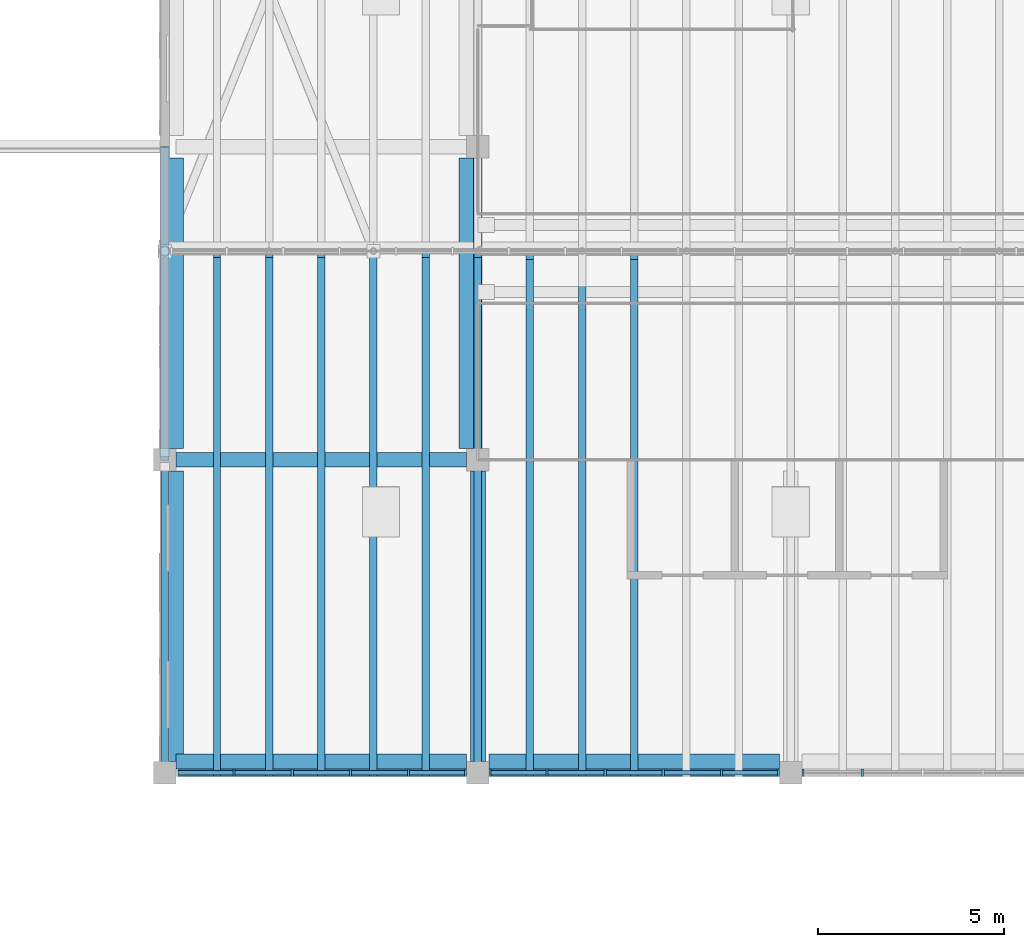
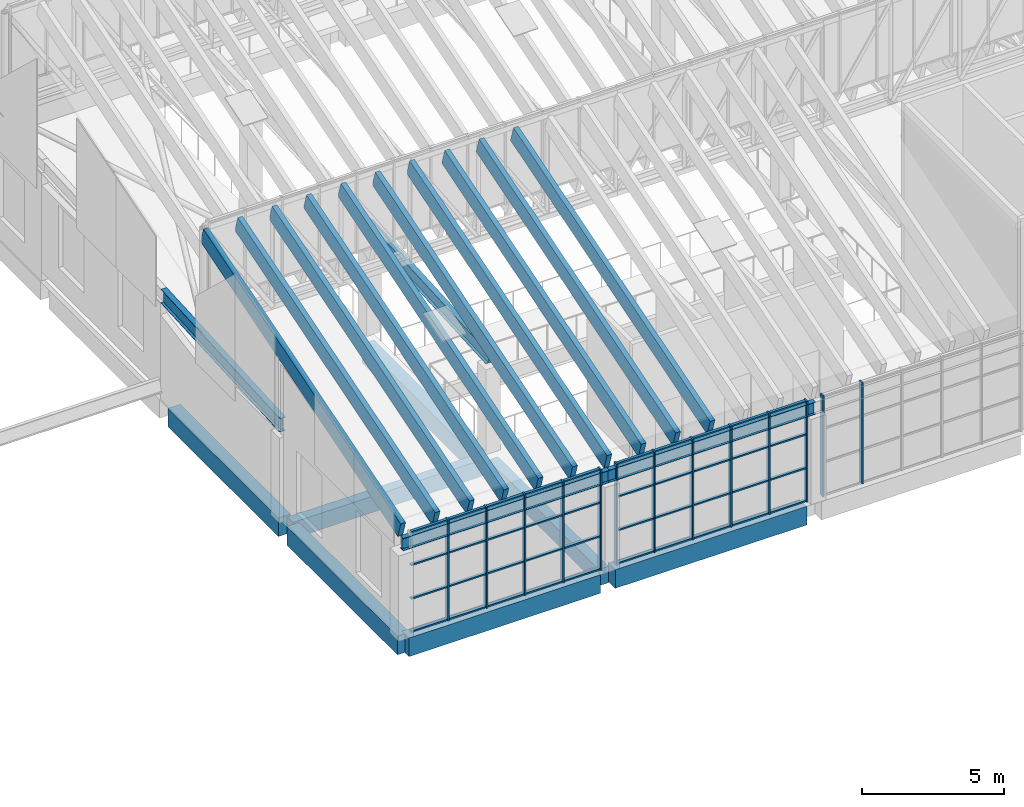
# One storey, part 7 of 91: 63 members, 11 beams, 3 elements without a shape of their own.
"""IFC4 building model written with IfcOpenShell, lengths in metres."""

from ifc_helpers import new_model, si_unit, direction, frame, origin, origin_2d, place, context, subcontext, project, spatial, rectangle, i_section, extrude, material, material_profile, profile_set, type_object, element, aggregate, save


model = new_model("IFC4")

# Units and contexts
model_context = context("Model", 3, precision=1e-05, world=origin(), true_north=direction((0.0, 1.0)))
body_context = subcontext(model_context, "Body", "Model", "MODEL_VIEW")
ifc_project = project(units=[si_unit("LENGTHUNIT", "METRE"), si_unit("AREAUNIT", "SQUARE_METRE"), si_unit("VOLUMEUNIT", "CUBIC_METRE"), si_unit("PLANEANGLEUNIT", "RADIAN"), si_unit("MASSUNIT", "GRAM", prefix="KILO")], contexts=[model_context])

# Site, building, storey
site_placement = place(None, origin())
site = spatial("IfcSite", under=ifc_project, at=site_placement, CompositionType="ELEMENT")
building_placement = place(site_placement, origin())
building = spatial("IfcBuilding", under=site, at=building_placement, Name="Almond Square Museum", CompositionType="ELEMENT")
storey_placement = place(building_placement, frame((0.0, 0.0, 30.0)))
storey = spatial("IfcBuildingStorey", under=building, at=storey_placement, Name="L05", CompositionType="ELEMENT", Elevation=30.0)

# Curtain wall, members
ifc_material_1 = material(Name="Aluminium and laminated glass", Category="aluminium")
curtain_wall_type = type_object("IfcCurtainWallType", Name="Unitised curtain wall 1500 module", PredefinedType="NOTDEFINED", material=ifc_material_1)
curtain_wall_1_placement = place(storey_placement, origin())
curtain_wall_1 = element("IfcCurtainWall", 1, at=curtain_wall_1_placement, inside=storey, type_object=curtain_wall_type, Name="Curtain wall CW-50", PredefinedType="NOTDEFINED")
ifc_material_2 = material(Name="Anodised aluminium", Category="aluminium")
ifc_material_profile_1 = material_profile(ifc_material_2, rectangle(XDim=0.199951171875, YDim=0.06005859375, at=origin_2d()))
ifc_profile_set_1 = profile_set([ifc_material_profile_1], Name="Anodised aluminium")
member_type_1 = type_object("IfcMemberType", Name="Aluminium mullion 60 x 200", PredefinedType="MULLION", material=ifc_profile_set_1)
member_1_placement = place(storey_placement, frame((75.06005859375, 67.199951171875, 0.0), z_axis=(0.0, 0.0, 1.0), x_axis=(0.0, 1.0, 0.0)))
member_1 = element("IfcMember", 2, at=member_1_placement, type_object=member_type_1, Name="CW-50 mullion 2", PredefinedType="MULLION", context=body_context, shape_type="SweptSolid", body=[
    extrude(rectangle(XDim=0.199951171875, YDim=0.06005859375, at=origin_2d()), origin(), (0.0, 0.0, 1.0), 4.346923828125),
])
member_2_placement = place(storey_placement, frame((76.6201171875, 67.199951171875, 0.0), z_axis=(0.0, 0.0, 1.0), x_axis=(0.0, 1.0, 0.0)))
member_2 = element("IfcMember", 3, at=member_2_placement, type_object=member_type_1, Name="CW-50 mullion 3", PredefinedType="MULLION", context=body_context, shape_type="SweptSolid", body=[
    extrude(rectangle(XDim=0.199951171875, YDim=0.06005859375, at=origin_2d()), origin(), (0.0, 0.0, 1.0), 4.346923828125),
])
member_3_placement = place(storey_placement, frame((78.179931640625, 67.199951171875, 0.0), z_axis=(0.0, 0.0, 1.0), x_axis=(0.0, 1.0, 0.0)))
member_3 = element("IfcMember", 4, at=member_3_placement, type_object=member_type_1, Name="CW-50 mullion 4", PredefinedType="MULLION", context=body_context, shape_type="SweptSolid", body=[
    extrude(rectangle(XDim=0.199951171875, YDim=0.06005859375, at=origin_2d()), origin(), (0.0, 0.0, 1.0), 4.346923828125),
])
member_4_placement = place(storey_placement, frame((79.739990234375, 67.199951171875, 0.0), z_axis=(0.0, 0.0, 1.0), x_axis=(0.0, 1.0, 0.0)))
member_4 = element("IfcMember", 5, at=member_4_placement, type_object=member_type_1, Name="CW-50 mullion 5", PredefinedType="MULLION", context=body_context, shape_type="SweptSolid", body=[
    extrude(rectangle(XDim=0.199951171875, YDim=0.06005859375, at=origin_2d()), origin(), (0.0, 0.0, 1.0), 4.346923828125),
])
member_5_placement = place(storey_placement, frame((81.27001953125, 67.199951171875, 0.0), z_axis=(0.0, 0.0, 1.0), x_axis=(0.0, 1.0, 0.0)))
member_5 = element("IfcMember", 6, at=member_5_placement, type_object=member_type_1, Name="CW-50 mullion 6", PredefinedType="MULLION", context=body_context, shape_type="SweptSolid", body=[
    extrude(rectangle(XDim=0.199951171875, YDim=0.06005859375, at=origin_2d()), origin(), (0.0, 0.0, 1.0), 4.346923828125),
])

curtain_wall_2_placement = place(storey_placement, origin())
curtain_wall_2 = element("IfcCurtainWall", 7, at=curtain_wall_2_placement, inside=storey, type_object=curtain_wall_type, Name="Curtain wall CW-51", PredefinedType="NOTDEFINED")
member_6_placement = place(storey_placement, frame((81.929931640625, 67.199951171875, 0.0), z_axis=(0.0, 0.0, 1.0), x_axis=(0.0, 1.0, 0.0)))
member_6 = element("IfcMember", 8, at=member_6_placement, type_object=member_type_1, Name="CW-51 mullion 1", PredefinedType="MULLION", context=body_context, shape_type="SweptSolid", body=[
    extrude(rectangle(XDim=0.199951171875, YDim=0.06005859375, at=origin_2d()), origin(), (0.0, 0.0, 1.0), 4.346923828125),
])
member_7_placement = place(storey_placement, frame((83.4599609375, 67.199951171875, 0.0), z_axis=(0.0, 0.0, 1.0), x_axis=(0.0, 1.0, 0.0)))
member_7 = element("IfcMember", 9, at=member_7_placement, type_object=member_type_1, Name="CW-51 mullion 2", PredefinedType="MULLION", context=body_context, shape_type="SweptSolid", body=[
    extrude(rectangle(XDim=0.199951171875, YDim=0.06005859375, at=origin_2d()), origin(), (0.0, 0.0, 1.0), 4.346923828125),
])
member_8_placement = place(storey_placement, frame((85.02001953125, 67.199951171875, 0.0), z_axis=(0.0, 0.0, 1.0), x_axis=(0.0, 1.0, 0.0)))
member_8 = element("IfcMember", 10, at=member_8_placement, type_object=member_type_1, Name="CW-51 mullion 3", PredefinedType="MULLION", context=body_context, shape_type="SweptSolid", body=[
    extrude(rectangle(XDim=0.199951171875, YDim=0.06005859375, at=origin_2d()), origin(), (0.0, 0.0, 1.0), 4.346923828125),
])
member_9_placement = place(storey_placement, frame((86.580078125, 67.199951171875, 0.0), z_axis=(0.0, 0.0, 1.0), x_axis=(0.0, 1.0, 0.0)))
member_9 = element("IfcMember", 11, at=member_9_placement, type_object=member_type_1, Name="CW-51 mullion 4", PredefinedType="MULLION", context=body_context, shape_type="SweptSolid", body=[
    extrude(rectangle(XDim=0.199951171875, YDim=0.06005859375, at=origin_2d()), origin(), (0.0, 0.0, 1.0), 4.346923828125),
])
member_10_placement = place(storey_placement, frame((88.139892578125, 67.199951171875, 0.0), z_axis=(0.0, 0.0, 1.0), x_axis=(0.0, 1.0, 0.0)))
member_10 = element("IfcMember", 12, at=member_10_placement, type_object=member_type_1, Name="CW-51 mullion 5", PredefinedType="MULLION", context=body_context, shape_type="SweptSolid", body=[
    extrude(rectangle(XDim=0.199951171875, YDim=0.06005859375, at=origin_2d()), origin(), (0.0, 0.0, 1.0), 4.346923828125),
])
member_11_placement = place(storey_placement, frame((89.669921875, 67.199951171875, 0.0), z_axis=(0.0, 0.0, 1.0), x_axis=(0.0, 1.0, 0.0)))
member_11 = element("IfcMember", 13, at=member_11_placement, type_object=member_type_1, Name="CW-51 mullion 6", PredefinedType="MULLION", context=body_context, shape_type="SweptSolid", body=[
    extrude(rectangle(XDim=0.199951171875, YDim=0.06005859375, at=origin_2d()), origin(), (0.0, 0.0, 1.0), 4.346923828125),
])

curtain_wall_3_placement = place(storey_placement, origin())
curtain_wall_3 = element("IfcCurtainWall", 14, at=curtain_wall_3_placement, inside=storey, type_object=curtain_wall_type, Name="Curtain wall CW-52", PredefinedType="NOTDEFINED")
member_12_placement = place(storey_placement, frame((90.330078125, 67.199951171875, 0.0), z_axis=(0.0, 0.0, 1.0), x_axis=(0.0, 1.0, 0.0)))
member_12 = element("IfcMember", 15, at=member_12_placement, type_object=member_type_1, Name="CW-52 mullion 1", PredefinedType="MULLION", context=body_context, shape_type="SweptSolid", body=[
    extrude(rectangle(XDim=0.199951171875, YDim=0.06005859375, at=origin_2d()), origin(), (0.0, 0.0, 1.0), 4.346923828125),
])
member_13_placement = place(storey_placement, frame((91.919921875, 67.199951171875, 0.0), z_axis=(0.0, 0.0, 1.0), x_axis=(0.0, 1.0, 0.0)))
member_13 = element("IfcMember", 16, at=member_13_placement, type_object=member_type_1, Name="CW-52 mullion 2", PredefinedType="MULLION", context=body_context, shape_type="SweptSolid", body=[
    extrude(rectangle(XDim=0.199951171875, YDim=0.06005859375, at=origin_2d()), origin(), (0.0, 0.0, 1.0), 4.346923828125),
])
aggregate(curtain_wall_3, [member_12, member_13])

# Member
ifc_material_3 = material(Name="Anodised aluminium", Category="aluminium")
ifc_material_profile_2 = material_profile(ifc_material_3, rectangle(XDim=0.1201171875, YDim=0.06005859375, at=origin_2d()))
ifc_profile_set_2 = profile_set([ifc_material_profile_2], Name="Anodised aluminium")
member_type_2 = type_object("IfcMemberType", Name="Aluminium transom 60 x 120", PredefinedType="USERDEFINED", material=ifc_profile_set_2)
member_14_placement = place(storey_placement, frame((73.56005859375, 67.199951171875, 0.030029296875), z_axis=(1.0, 0.0, 0.0), x_axis=(0.0, 1.0, 0.0)))
member_14 = element("IfcMember", 17, at=member_14_placement, type_object=member_type_2, Name="CW-50 transom 1.1", ObjectType="TRANSOM", PredefinedType="USERDEFINED", context=body_context, shape_type="SweptSolid", body=[
    extrude(rectangle(XDim=0.1201171875, YDim=0.06005859375, at=origin_2d()), origin(), (0.0, 0.0, 1.0), 1.469970703125),
])

member_15_placement = place(storey_placement, frame((73.56005859375, 67.199951171875, 1.448974609375), z_axis=(1.0, 0.0, 0.0), x_axis=(0.0, 1.0, 0.0)))
member_15 = element("IfcMember", 18, at=member_15_placement, type_object=member_type_2, Name="CW-50 transom 1.2", ObjectType="TRANSOM", PredefinedType="USERDEFINED", context=body_context, shape_type="SweptSolid", body=[
    extrude(rectangle(XDim=0.1201171875, YDim=0.06005859375, at=origin_2d()), origin(), (0.0, 0.0, 1.0), 1.469970703125),
])

member_16_placement = place(storey_placement, frame((73.56005859375, 67.199951171875, 2.89794921875), z_axis=(1.0, 0.0, 0.0), x_axis=(0.0, 1.0, 0.0)))
member_16 = element("IfcMember", 19, at=member_16_placement, type_object=member_type_2, Name="CW-50 transom 1.3", ObjectType="TRANSOM", PredefinedType="USERDEFINED", context=body_context, shape_type="SweptSolid", body=[
    extrude(rectangle(XDim=0.1201171875, YDim=0.06005859375, at=origin_2d()), origin(), (0.0, 0.0, 1.0), 1.469970703125),
])

member_17_placement = place(storey_placement, frame((73.56005859375, 67.199951171875, 4.31689453125), z_axis=(1.0, 0.0, 0.0), x_axis=(0.0, 1.0, 0.0)))
member_17 = element("IfcMember", 20, at=member_17_placement, type_object=member_type_2, Name="CW-50 transom 1.4", ObjectType="TRANSOM", PredefinedType="USERDEFINED", context=body_context, shape_type="SweptSolid", body=[
    extrude(rectangle(XDim=0.1201171875, YDim=0.06005859375, at=origin_2d()), origin(), (0.0, 0.0, 1.0), 1.469970703125),
])

member_18_placement = place(storey_placement, frame((75.090087890625, 67.199951171875, 0.030029296875), z_axis=(1.0, 0.0, 0.0), x_axis=(0.0, 1.0, 0.0)))
member_18 = element("IfcMember", 21, at=member_18_placement, type_object=member_type_2, Name="CW-50 transom 2.1", ObjectType="TRANSOM", PredefinedType="USERDEFINED", context=body_context, shape_type="SweptSolid", body=[
    extrude(rectangle(XDim=0.1201171875, YDim=0.06005859375, at=origin_2d()), origin(), (0.0, 0.0, 1.0), 1.5),
])

member_19_placement = place(storey_placement, frame((75.090087890625, 67.199951171875, 1.448974609375), z_axis=(1.0, 0.0, 0.0), x_axis=(0.0, 1.0, 0.0)))
member_19 = element("IfcMember", 22, at=member_19_placement, type_object=member_type_2, Name="CW-50 transom 2.2", ObjectType="TRANSOM", PredefinedType="USERDEFINED", context=body_context, shape_type="SweptSolid", body=[
    extrude(rectangle(XDim=0.1201171875, YDim=0.06005859375, at=origin_2d()), origin(), (0.0, 0.0, 1.0), 1.5),
])

member_20_placement = place(storey_placement, frame((75.090087890625, 67.199951171875, 2.89794921875), z_axis=(1.0, 0.0, 0.0), x_axis=(0.0, 1.0, 0.0)))
member_20 = element("IfcMember", 23, at=member_20_placement, type_object=member_type_2, Name="CW-50 transom 2.3", ObjectType="TRANSOM", PredefinedType="USERDEFINED", context=body_context, shape_type="SweptSolid", body=[
    extrude(rectangle(XDim=0.1201171875, YDim=0.06005859375, at=origin_2d()), origin(), (0.0, 0.0, 1.0), 1.5),
])

member_21_placement = place(storey_placement, frame((75.090087890625, 67.199951171875, 4.31689453125), z_axis=(1.0, 0.0, 0.0), x_axis=(0.0, 1.0, 0.0)))
member_21 = element("IfcMember", 24, at=member_21_placement, type_object=member_type_2, Name="CW-50 transom 2.4", ObjectType="TRANSOM", PredefinedType="USERDEFINED", context=body_context, shape_type="SweptSolid", body=[
    extrude(rectangle(XDim=0.1201171875, YDim=0.06005859375, at=origin_2d()), origin(), (0.0, 0.0, 1.0), 1.5),
])

member_22_placement = place(storey_placement, frame((76.64990234375, 67.199951171875, 0.030029296875), z_axis=(1.0, 0.0, 0.0), x_axis=(0.0, 1.0, 0.0)))
member_22 = element("IfcMember", 25, at=member_22_placement, type_object=member_type_2, Name="CW-50 transom 3.1", ObjectType="TRANSOM", PredefinedType="USERDEFINED", context=body_context, shape_type="SweptSolid", body=[
    extrude(rectangle(XDim=0.1201171875, YDim=0.06005859375, at=origin_2d()), origin(), (0.0, 0.0, 1.0), 1.5),
])

member_23_placement = place(storey_placement, frame((76.64990234375, 67.199951171875, 1.448974609375), z_axis=(1.0, 0.0, 0.0), x_axis=(0.0, 1.0, 0.0)))
member_23 = element("IfcMember", 26, at=member_23_placement, type_object=member_type_2, Name="CW-50 transom 3.2", ObjectType="TRANSOM", PredefinedType="USERDEFINED", context=body_context, shape_type="SweptSolid", body=[
    extrude(rectangle(XDim=0.1201171875, YDim=0.06005859375, at=origin_2d()), origin(), (0.0, 0.0, 1.0), 1.5),
])

member_24_placement = place(storey_placement, frame((76.64990234375, 67.199951171875, 2.89794921875), z_axis=(1.0, 0.0, 0.0), x_axis=(0.0, 1.0, 0.0)))
member_24 = element("IfcMember", 27, at=member_24_placement, type_object=member_type_2, Name="CW-50 transom 3.3", ObjectType="TRANSOM", PredefinedType="USERDEFINED", context=body_context, shape_type="SweptSolid", body=[
    extrude(rectangle(XDim=0.1201171875, YDim=0.06005859375, at=origin_2d()), origin(), (0.0, 0.0, 1.0), 1.5),
])

member_25_placement = place(storey_placement, frame((76.64990234375, 67.199951171875, 4.31689453125), z_axis=(1.0, 0.0, 0.0), x_axis=(0.0, 1.0, 0.0)))
member_25 = element("IfcMember", 28, at=member_25_placement, type_object=member_type_2, Name="CW-50 transom 3.4", ObjectType="TRANSOM", PredefinedType="USERDEFINED", context=body_context, shape_type="SweptSolid", body=[
    extrude(rectangle(XDim=0.1201171875, YDim=0.06005859375, at=origin_2d()), origin(), (0.0, 0.0, 1.0), 1.5),
])

member_26_placement = place(storey_placement, frame((78.2099609375, 67.199951171875, 0.030029296875), z_axis=(1.0, 0.0, 0.0), x_axis=(0.0, 1.0, 0.0)))
member_26 = element("IfcMember", 29, at=member_26_placement, type_object=member_type_2, Name="CW-50 transom 4.1", ObjectType="TRANSOM", PredefinedType="USERDEFINED", context=body_context, shape_type="SweptSolid", body=[
    extrude(rectangle(XDim=0.1201171875, YDim=0.06005859375, at=origin_2d()), origin(), (0.0, 0.0, 1.0), 1.5),
])

member_27_placement = place(storey_placement, frame((78.2099609375, 67.199951171875, 1.448974609375), z_axis=(1.0, 0.0, 0.0), x_axis=(0.0, 1.0, 0.0)))
member_27 = element("IfcMember", 30, at=member_27_placement, type_object=member_type_2, Name="CW-50 transom 4.2", ObjectType="TRANSOM", PredefinedType="USERDEFINED", context=body_context, shape_type="SweptSolid", body=[
    extrude(rectangle(XDim=0.1201171875, YDim=0.06005859375, at=origin_2d()), origin(), (0.0, 0.0, 1.0), 1.5),
])

member_28_placement = place(storey_placement, frame((78.2099609375, 67.199951171875, 2.89794921875), z_axis=(1.0, 0.0, 0.0), x_axis=(0.0, 1.0, 0.0)))
member_28 = element("IfcMember", 31, at=member_28_placement, type_object=member_type_2, Name="CW-50 transom 4.3", ObjectType="TRANSOM", PredefinedType="USERDEFINED", context=body_context, shape_type="SweptSolid", body=[
    extrude(rectangle(XDim=0.1201171875, YDim=0.06005859375, at=origin_2d()), origin(), (0.0, 0.0, 1.0), 1.5),
])

member_29_placement = place(storey_placement, frame((78.2099609375, 67.199951171875, 4.31689453125), z_axis=(1.0, 0.0, 0.0), x_axis=(0.0, 1.0, 0.0)))
member_29 = element("IfcMember", 32, at=member_29_placement, type_object=member_type_2, Name="CW-50 transom 4.4", ObjectType="TRANSOM", PredefinedType="USERDEFINED", context=body_context, shape_type="SweptSolid", body=[
    extrude(rectangle(XDim=0.1201171875, YDim=0.06005859375, at=origin_2d()), origin(), (0.0, 0.0, 1.0), 1.5),
])

member_30_placement = place(storey_placement, frame((79.77001953125, 67.199951171875, 0.030029296875), z_axis=(1.0, 0.0, 0.0), x_axis=(0.0, 1.0, 0.0)))
member_30 = element("IfcMember", 33, at=member_30_placement, type_object=member_type_2, Name="CW-50 transom 5.1", ObjectType="TRANSOM", PredefinedType="USERDEFINED", context=body_context, shape_type="SweptSolid", body=[
    extrude(rectangle(XDim=0.1201171875, YDim=0.06005859375, at=origin_2d()), origin(), (0.0, 0.0, 1.0), 1.469970703125),
])

member_31_placement = place(storey_placement, frame((79.77001953125, 67.199951171875, 1.448974609375), z_axis=(1.0, 0.0, 0.0), x_axis=(0.0, 1.0, 0.0)))
member_31 = element("IfcMember", 34, at=member_31_placement, type_object=member_type_2, Name="CW-50 transom 5.2", ObjectType="TRANSOM", PredefinedType="USERDEFINED", context=body_context, shape_type="SweptSolid", body=[
    extrude(rectangle(XDim=0.1201171875, YDim=0.06005859375, at=origin_2d()), origin(), (0.0, 0.0, 1.0), 1.469970703125),
])

member_32_placement = place(storey_placement, frame((79.77001953125, 67.199951171875, 2.89794921875), z_axis=(1.0, 0.0, 0.0), x_axis=(0.0, 1.0, 0.0)))
member_32 = element("IfcMember", 35, at=member_32_placement, type_object=member_type_2, Name="CW-50 transom 5.3", ObjectType="TRANSOM", PredefinedType="USERDEFINED", context=body_context, shape_type="SweptSolid", body=[
    extrude(rectangle(XDim=0.1201171875, YDim=0.06005859375, at=origin_2d()), origin(), (0.0, 0.0, 1.0), 1.469970703125),
])

member_33_placement = place(storey_placement, frame((79.77001953125, 67.199951171875, 4.31689453125), z_axis=(1.0, 0.0, 0.0), x_axis=(0.0, 1.0, 0.0)))
member_33 = element("IfcMember", 36, at=member_33_placement, type_object=member_type_2, Name="CW-50 transom 5.4", ObjectType="TRANSOM", PredefinedType="USERDEFINED", context=body_context, shape_type="SweptSolid", body=[
    extrude(rectangle(XDim=0.1201171875, YDim=0.06005859375, at=origin_2d()), origin(), (0.0, 0.0, 1.0), 1.469970703125),
])

aggregate(curtain_wall_1, [member_1, member_2, member_3, member_4, member_5, member_14, member_15, member_16, member_17, member_18, member_19, member_20, member_21, member_22, member_23, member_24, member_25, member_26, member_27, member_28, member_29, member_30, member_31, member_32, member_33])

member_34_placement = place(storey_placement, frame((81.9599609375, 67.199951171875, 0.030029296875), z_axis=(1.0, 0.0, 0.0), x_axis=(0.0, 1.0, 0.0)))
member_34 = element("IfcMember", 37, at=member_34_placement, type_object=member_type_2, Name="CW-51 transom 1.1", ObjectType="TRANSOM", PredefinedType="USERDEFINED", context=body_context, shape_type="SweptSolid", body=[
    extrude(rectangle(XDim=0.1201171875, YDim=0.06005859375, at=origin_2d()), origin(), (0.0, 0.0, 1.0), 1.469970703125),
])

member_35_placement = place(storey_placement, frame((81.9599609375, 67.199951171875, 1.448974609375), z_axis=(1.0, 0.0, 0.0), x_axis=(0.0, 1.0, 0.0)))
member_35 = element("IfcMember", 38, at=member_35_placement, type_object=member_type_2, Name="CW-51 transom 1.2", ObjectType="TRANSOM", PredefinedType="USERDEFINED", context=body_context, shape_type="SweptSolid", body=[
    extrude(rectangle(XDim=0.1201171875, YDim=0.06005859375, at=origin_2d()), origin(), (0.0, 0.0, 1.0), 1.469970703125),
])

member_36_placement = place(storey_placement, frame((81.9599609375, 67.199951171875, 2.89794921875), z_axis=(1.0, 0.0, 0.0), x_axis=(0.0, 1.0, 0.0)))
member_36 = element("IfcMember", 39, at=member_36_placement, type_object=member_type_2, Name="CW-51 transom 1.3", ObjectType="TRANSOM", PredefinedType="USERDEFINED", context=body_context, shape_type="SweptSolid", body=[
    extrude(rectangle(XDim=0.1201171875, YDim=0.06005859375, at=origin_2d()), origin(), (0.0, 0.0, 1.0), 1.469970703125),
])

member_37_placement = place(storey_placement, frame((81.9599609375, 67.199951171875, 4.31689453125), z_axis=(1.0, 0.0, 0.0), x_axis=(0.0, 1.0, 0.0)))
member_37 = element("IfcMember", 40, at=member_37_placement, type_object=member_type_2, Name="CW-51 transom 1.4", ObjectType="TRANSOM", PredefinedType="USERDEFINED", context=body_context, shape_type="SweptSolid", body=[
    extrude(rectangle(XDim=0.1201171875, YDim=0.06005859375, at=origin_2d()), origin(), (0.0, 0.0, 1.0), 1.469970703125),
])

member_38_placement = place(storey_placement, frame((83.489990234375, 67.199951171875, 0.030029296875), z_axis=(1.0, 0.0, 0.0), x_axis=(0.0, 1.0, 0.0)))
member_38 = element("IfcMember", 41, at=member_38_placement, type_object=member_type_2, Name="CW-51 transom 2.1", ObjectType="TRANSOM", PredefinedType="USERDEFINED", context=body_context, shape_type="SweptSolid", body=[
    extrude(rectangle(XDim=0.1201171875, YDim=0.06005859375, at=origin_2d()), origin(), (0.0, 0.0, 1.0), 1.5),
])

member_39_placement = place(storey_placement, frame((83.489990234375, 67.199951171875, 1.448974609375), z_axis=(1.0, 0.0, 0.0), x_axis=(0.0, 1.0, 0.0)))
member_39 = element("IfcMember", 42, at=member_39_placement, type_object=member_type_2, Name="CW-51 transom 2.2", ObjectType="TRANSOM", PredefinedType="USERDEFINED", context=body_context, shape_type="SweptSolid", body=[
    extrude(rectangle(XDim=0.1201171875, YDim=0.06005859375, at=origin_2d()), origin(), (0.0, 0.0, 1.0), 1.5),
])

member_40_placement = place(storey_placement, frame((83.489990234375, 67.199951171875, 2.89794921875), z_axis=(1.0, 0.0, 0.0), x_axis=(0.0, 1.0, 0.0)))
member_40 = element("IfcMember", 43, at=member_40_placement, type_object=member_type_2, Name="CW-51 transom 2.3", ObjectType="TRANSOM", PredefinedType="USERDEFINED", context=body_context, shape_type="SweptSolid", body=[
    extrude(rectangle(XDim=0.1201171875, YDim=0.06005859375, at=origin_2d()), origin(), (0.0, 0.0, 1.0), 1.5),
])

member_41_placement = place(storey_placement, frame((83.489990234375, 67.199951171875, 4.31689453125), z_axis=(1.0, 0.0, 0.0), x_axis=(0.0, 1.0, 0.0)))
member_41 = element("IfcMember", 44, at=member_41_placement, type_object=member_type_2, Name="CW-51 transom 2.4", ObjectType="TRANSOM", PredefinedType="USERDEFINED", context=body_context, shape_type="SweptSolid", body=[
    extrude(rectangle(XDim=0.1201171875, YDim=0.06005859375, at=origin_2d()), origin(), (0.0, 0.0, 1.0), 1.5),
])

member_42_placement = place(storey_placement, frame((85.050048828125, 67.199951171875, 0.030029296875), z_axis=(1.0, 0.0, 0.0), x_axis=(0.0, 1.0, 0.0)))
member_42 = element("IfcMember", 45, at=member_42_placement, type_object=member_type_2, Name="CW-51 transom 3.1", ObjectType="TRANSOM", PredefinedType="USERDEFINED", context=body_context, shape_type="SweptSolid", body=[
    extrude(rectangle(XDim=0.1201171875, YDim=0.06005859375, at=origin_2d()), origin(), (0.0, 0.0, 1.0), 1.5),
])

member_43_placement = place(storey_placement, frame((85.050048828125, 67.199951171875, 1.448974609375), z_axis=(1.0, 0.0, 0.0), x_axis=(0.0, 1.0, 0.0)))
member_43 = element("IfcMember", 46, at=member_43_placement, type_object=member_type_2, Name="CW-51 transom 3.2", ObjectType="TRANSOM", PredefinedType="USERDEFINED", context=body_context, shape_type="SweptSolid", body=[
    extrude(rectangle(XDim=0.1201171875, YDim=0.06005859375, at=origin_2d()), origin(), (0.0, 0.0, 1.0), 1.5),
])

member_44_placement = place(storey_placement, frame((85.050048828125, 67.199951171875, 2.89794921875), z_axis=(1.0, 0.0, 0.0), x_axis=(0.0, 1.0, 0.0)))
member_44 = element("IfcMember", 47, at=member_44_placement, type_object=member_type_2, Name="CW-51 transom 3.3", ObjectType="TRANSOM", PredefinedType="USERDEFINED", context=body_context, shape_type="SweptSolid", body=[
    extrude(rectangle(XDim=0.1201171875, YDim=0.06005859375, at=origin_2d()), origin(), (0.0, 0.0, 1.0), 1.5),
])

member_45_placement = place(storey_placement, frame((85.050048828125, 67.199951171875, 4.31689453125), z_axis=(1.0, 0.0, 0.0), x_axis=(0.0, 1.0, 0.0)))
member_45 = element("IfcMember", 48, at=member_45_placement, type_object=member_type_2, Name="CW-51 transom 3.4", ObjectType="TRANSOM", PredefinedType="USERDEFINED", context=body_context, shape_type="SweptSolid", body=[
    extrude(rectangle(XDim=0.1201171875, YDim=0.06005859375, at=origin_2d()), origin(), (0.0, 0.0, 1.0), 1.5),
])

member_46_placement = place(storey_placement, frame((86.610107421875, 67.199951171875, 0.030029296875), z_axis=(1.0, 0.0, 0.0), x_axis=(0.0, 1.0, 0.0)))
member_46 = element("IfcMember", 49, at=member_46_placement, type_object=member_type_2, Name="CW-51 transom 4.1", ObjectType="TRANSOM", PredefinedType="USERDEFINED", context=body_context, shape_type="SweptSolid", body=[
    extrude(rectangle(XDim=0.1201171875, YDim=0.06005859375, at=origin_2d()), origin(), (0.0, 0.0, 1.0), 1.5),
])

member_47_placement = place(storey_placement, frame((86.610107421875, 67.199951171875, 1.448974609375), z_axis=(1.0, 0.0, 0.0), x_axis=(0.0, 1.0, 0.0)))
member_47 = element("IfcMember", 50, at=member_47_placement, type_object=member_type_2, Name="CW-51 transom 4.2", ObjectType="TRANSOM", PredefinedType="USERDEFINED", context=body_context, shape_type="SweptSolid", body=[
    extrude(rectangle(XDim=0.1201171875, YDim=0.06005859375, at=origin_2d()), origin(), (0.0, 0.0, 1.0), 1.5),
])

member_48_placement = place(storey_placement, frame((86.610107421875, 67.199951171875, 2.89794921875), z_axis=(1.0, 0.0, 0.0), x_axis=(0.0, 1.0, 0.0)))
member_48 = element("IfcMember", 51, at=member_48_placement, type_object=member_type_2, Name="CW-51 transom 4.3", ObjectType="TRANSOM", PredefinedType="USERDEFINED", context=body_context, shape_type="SweptSolid", body=[
    extrude(rectangle(XDim=0.1201171875, YDim=0.06005859375, at=origin_2d()), origin(), (0.0, 0.0, 1.0), 1.5),
])

member_49_placement = place(storey_placement, frame((86.610107421875, 67.199951171875, 4.31689453125), z_axis=(1.0, 0.0, 0.0), x_axis=(0.0, 1.0, 0.0)))
member_49 = element("IfcMember", 52, at=member_49_placement, type_object=member_type_2, Name="CW-51 transom 4.4", ObjectType="TRANSOM", PredefinedType="USERDEFINED", context=body_context, shape_type="SweptSolid", body=[
    extrude(rectangle(XDim=0.1201171875, YDim=0.06005859375, at=origin_2d()), origin(), (0.0, 0.0, 1.0), 1.5),
])

member_50_placement = place(storey_placement, frame((88.169921875, 67.199951171875, 0.030029296875), z_axis=(1.0, 0.0, 0.0), x_axis=(0.0, 1.0, 0.0)))
member_50 = element("IfcMember", 53, at=member_50_placement, type_object=member_type_2, Name="CW-51 transom 5.1", ObjectType="TRANSOM", PredefinedType="USERDEFINED", context=body_context, shape_type="SweptSolid", body=[
    extrude(rectangle(XDim=0.1201171875, YDim=0.06005859375, at=origin_2d()), origin(), (0.0, 0.0, 1.0), 1.469970703125),
])

member_51_placement = place(storey_placement, frame((88.169921875, 67.199951171875, 1.448974609375), z_axis=(1.0, 0.0, 0.0), x_axis=(0.0, 1.0, 0.0)))
member_51 = element("IfcMember", 54, at=member_51_placement, type_object=member_type_2, Name="CW-51 transom 5.2", ObjectType="TRANSOM", PredefinedType="USERDEFINED", context=body_context, shape_type="SweptSolid", body=[
    extrude(rectangle(XDim=0.1201171875, YDim=0.06005859375, at=origin_2d()), origin(), (0.0, 0.0, 1.0), 1.469970703125),
])

member_52_placement = place(storey_placement, frame((88.169921875, 67.199951171875, 2.89794921875), z_axis=(1.0, 0.0, 0.0), x_axis=(0.0, 1.0, 0.0)))
member_52 = element("IfcMember", 55, at=member_52_placement, type_object=member_type_2, Name="CW-51 transom 5.3", ObjectType="TRANSOM", PredefinedType="USERDEFINED", context=body_context, shape_type="SweptSolid", body=[
    extrude(rectangle(XDim=0.1201171875, YDim=0.06005859375, at=origin_2d()), origin(), (0.0, 0.0, 1.0), 1.469970703125),
])

member_53_placement = place(storey_placement, frame((88.169921875, 67.199951171875, 4.31689453125), z_axis=(1.0, 0.0, 0.0), x_axis=(0.0, 1.0, 0.0)))
member_53 = element("IfcMember", 56, at=member_53_placement, type_object=member_type_2, Name="CW-51 transom 5.4", ObjectType="TRANSOM", PredefinedType="USERDEFINED", context=body_context, shape_type="SweptSolid", body=[
    extrude(rectangle(XDim=0.1201171875, YDim=0.06005859375, at=origin_2d()), origin(), (0.0, 0.0, 1.0), 1.469970703125),
])

aggregate(curtain_wall_2, [member_6, member_7, member_8, member_9, member_10, member_11, member_34, member_35, member_36, member_37, member_38, member_39, member_40, member_41, member_42, member_43, member_44, member_45, member_46, member_47, member_48, member_49, member_50, member_51, member_52, member_53])

# Beams
ifc_material_4 = material(Name="Structural steel S355", Category="steel")
ifc_material_profile_3 = material_profile(ifc_material_4, i_section(OverallWidth=0.208984375, OverallDepth=0.532958984375, WebThickness=0.01025390625, FlangeThickness=0.015625, at=origin_2d()))
ifc_profile_set_3 = profile_set([ifc_material_profile_3], Name="Structural steel S355")
beam_type_1 = type_object("IfcBeamType", Name="Eave beam W530x92", PredefinedType="BEAM", material=ifc_profile_set_3)
beam_1_placement = place(storey_placement, frame((73.199951171875, 67.199951171875, 3.93701171875), z_axis=(1.0, 0.0, 0.0), x_axis=(0.0, 1.0, 0.0)))
element("IfcBeam", 57, at=beam_1_placement, inside=storey, type_object=beam_type_1, Name="Atrium south eave beam", PredefinedType="BEAM", context=body_context, shape_type="SweptSolid", body=[
    extrude(i_section(OverallWidth=0.208984375, OverallDepth=0.532958984375, WebThickness=0.01025390625, FlangeThickness=0.015625, at=origin_2d()), origin(), (0.0, 0.0, 1.0), 8.400146484375),
])
beam_2_placement = place(storey_placement, frame((81.60009765625, 67.199951171875, 3.93701171875), z_axis=(1.0, 0.0, 0.0), x_axis=(0.0, 1.0, 0.0)))
element("IfcBeam", 58, at=beam_2_placement, inside=storey, type_object=beam_type_1, Name="Atrium south eave beam", PredefinedType="BEAM", context=body_context, shape_type="SweptSolid", body=[
    extrude(i_section(OverallWidth=0.208984375, OverallDepth=0.532958984375, WebThickness=0.01025390625, FlangeThickness=0.015625, at=origin_2d()), origin(), (0.0, 0.0, 1.0), 8.39990234375),
])
ifc_material_5 = material(Name="Structural steel S355", Category="steel")
ifc_material_profile_4 = material_profile(ifc_material_5, i_section(OverallWidth=0.22802734375, OverallDepth=0.60693359375, WebThickness=0.01123046875, FlangeThickness=0.017333984375, at=origin_2d()))
ifc_profile_set_4 = profile_set([ifc_material_profile_4], Name="Structural steel S355")
beam_type_2 = type_object("IfcBeamType", Name="Girder W610x113", PredefinedType="BEAM", material=ifc_profile_set_4)
for number, where, z_axis, x_axis, name in (
    (59, (73.199951171875, 75.60009765625, 3.956787109375), (0.0, 0.998371428865, 0.0570481378), (-1.0, 0.0, 0.0), "Atrium roof girder 1.1"),
    (60, (81.60009765625, 75.60009765625, 3.956787109375), (0.0, 0.998371428865, 0.0570481378), (-1.0, 0.0, 0.0), "Atrium roof girder 2.1"),
):
    element("IfcBeam", number, at=place(storey_placement, frame(where, z_axis=z_axis, x_axis=x_axis)), inside=storey, type_object=beam_type_2, Name=name, PredefinedType="BEAM", context=body_context, shape_type="SweptSolid", body=[
        extrude(i_section(OverallWidth=0.22802734375, OverallDepth=0.60693359375, WebThickness=0.01123046875, FlangeThickness=0.017333984375, at=origin_2d()), origin(), (0.0, 0.0, 1.0), 8.41357421875),
    ])

# Members
ifc_material_6 = material(Name="Glulam GL28h", Category="wood")
ifc_material_profile_5 = material_profile(ifc_material_6, rectangle(XDim=0.199951171875, YDim=0.699951171875, at=origin_2d()))
ifc_profile_set_5 = profile_set([ifc_material_profile_5], Name="Glulam GL28h")
member_type_3 = type_object("IfcMemberType", Name="Glulam rafter GL28h 200x700", PredefinedType="RAFTER", material=ifc_profile_set_5)
for number, where, z_axis, x_axis, name in (
    (61, (73.199951171875, 67.199951171875, 4.529296875), (0.0, 0.956304572568, 0.292372304582), (-1.0, 0.0, 0.0), "Atrium rafter 1.1"),
    (62, (74.60009765625, 67.199951171875, 4.529296875), (0.0, 0.956304572568, 0.292372304582), (-1.0, 0.0, 0.0), "Atrium rafter 1.2"),
    (63, (76.0, 67.199951171875, 4.529296875), (0.0, 0.956304572568, 0.292372304582), (-1.0, 0.0, 0.0), "Atrium rafter 1.3"),
    (64, (77.39990234375, 67.199951171875, 4.529296875), (0.0, 0.956304572568, 0.292372304582), (-1.0, 0.0, 0.0), "Atrium rafter 1.4"),
    (65, (78.800048828125, 67.199951171875, 4.529296875), (0.0, 0.956304572568, 0.292372304582), (-1.0, 0.0, 0.0), "Atrium rafter 1.5"),
    (66, (80.199951171875, 67.199951171875, 4.529296875), (0.0, 0.956304572568, 0.292372304582), (-1.0, 0.0, 0.0), "Atrium rafter 1.6"),
    (67, (81.60009765625, 67.199951171875, 4.529296875), (0.0, 0.956304572568, 0.292372304582), (-1.0, 0.0, 0.0), "Atrium rafter 1.7"),
):
    element("IfcMember", number, at=place(storey_placement, frame(where, z_axis=z_axis, x_axis=x_axis)), inside=storey, type_object=member_type_3, Name=name, PredefinedType="RAFTER", context=body_context, shape_type="SweptSolid", body=[
        extrude(rectangle(XDim=0.199951171875, YDim=0.699951171875, at=origin_2d()), origin(), (0.0, 0.0, 1.0), 14.561279296875),
    ])
for number, where, z_axis, x_axis, name in (
    (68, (83.0, 67.199951171875, 4.529296875), (0.0, 0.956301397149, 0.292382690682), (-1.0, 0.0, 0.0), "Atrium rafter 1.8"),
    (69, (84.39990234375, 67.199951171875, 4.529296875), (0.0, 0.956301397149, 0.292382690682), (-1.0, 0.0, 0.0), "Atrium rafter 1.9"),
    (70, (85.800048828125, 67.199951171875, 4.529296875), (0.0, 0.956301397149, 0.292382690682), (-1.0, 0.0, 0.0), "Atrium rafter 1.10"),
):
    element("IfcMember", number, at=place(storey_placement, frame(where, z_axis=z_axis, x_axis=x_axis)), inside=storey, type_object=member_type_3, Name=name, PredefinedType="RAFTER", context=body_context, shape_type="SweptSolid", body=[
        extrude(rectangle(XDim=0.199951171875, YDim=0.699951171875, at=origin_2d()), origin(), (0.0, 0.0, 1.0), 14.509033203125),
    ])

# Beams
ifc_material_7 = material(Name="Concrete C40/50", Category="concrete")
ifc_material_profile_6 = material_profile(ifc_material_7, rectangle(XDim=0.39990234375, YDim=0.699951171875, at=origin_2d()))
ifc_profile_set_6 = profile_set([ifc_material_profile_6], Name="Concrete C40/50")
beam_type_3 = type_object("IfcBeamType", Name="RC beam 400 x 700 C40/50", PredefinedType="BEAM", material=ifc_profile_set_6)
for number, where, z_axis, x_axis, name in (
    (71, (73.5, 75.60009765625, -0.60009765625), (1.0, 0.0, 0.0), (0.0, 1.0, 0.0), "Beam J 10-11 L05"),
    (72, (81.60009765625, 67.5, -0.60009765625), (0.0, 1.0, 0.0), (-1.0, 0.0, 0.0), "Beam 11 I-J L05"),
):
    element("IfcBeam", number, at=place(storey_placement, frame(where, z_axis=z_axis, x_axis=x_axis)), inside=storey, type_object=beam_type_3, Name=name, PredefinedType="BEAM", context=body_context, shape_type="SweptSolid", body=[
        extrude(rectangle(XDim=0.39990234375, YDim=0.699951171875, at=origin_2d()), origin(), (0.0, 0.0, 1.0), 7.800048828125),
    ])
ifc_material_8 = material(Name="Concrete C40/50", Category="concrete")
ifc_material_profile_7 = material_profile(ifc_material_8, rectangle(XDim=0.5, YDim=0.800048828125, at=origin_2d()))
ifc_profile_set_7 = profile_set([ifc_material_profile_7], Name="Concrete C40/50")
beam_type_4 = type_object("IfcBeamType", Name="RC edge beam 500 x 800 C40/50", PredefinedType="BEAM", material=ifc_profile_set_7)
for number, where, z_axis, x_axis, name in (
    (73, (73.5, 67.449951171875, -0.64990234375), (1.0, 0.0, 0.0), (0.0, 1.0, 0.0), "Edge beam I 10-11 L05"),
    (74, (81.89990234375, 67.449951171875, -0.64990234375), (1.0, 0.0, 0.0), (0.0, 1.0, 0.0), "Edge beam I 11-12 L05"),
    (75, (73.449951171875, 67.5, -0.64990234375), (0.0, 1.0, 0.0), (-1.0, 0.0, 0.0), "Edge beam 10 I-J L05"),
    (76, (73.449951171875, 75.89990234375, -0.64990234375), (0.0, 1.0, 0.0), (-1.0, 0.0, 0.0), "Edge beam 10 J-K L05"),
    (77, (81.35009765625, 75.89990234375, -0.64990234375), (0.0, 1.0, 0.0), (-1.0, 0.0, 0.0), "Edge beam 11 J-K L05"),
):
    element("IfcBeam", number, at=place(storey_placement, frame(where, z_axis=z_axis, x_axis=x_axis)), inside=storey, type_object=beam_type_4, Name=name, PredefinedType="BEAM", context=body_context, shape_type="SweptSolid", body=[
        extrude(rectangle(XDim=0.5, YDim=0.800048828125, at=origin_2d()), origin(), (0.0, 0.0, 1.0), 7.800048828125),
    ])

save(model, "model.ifc")
